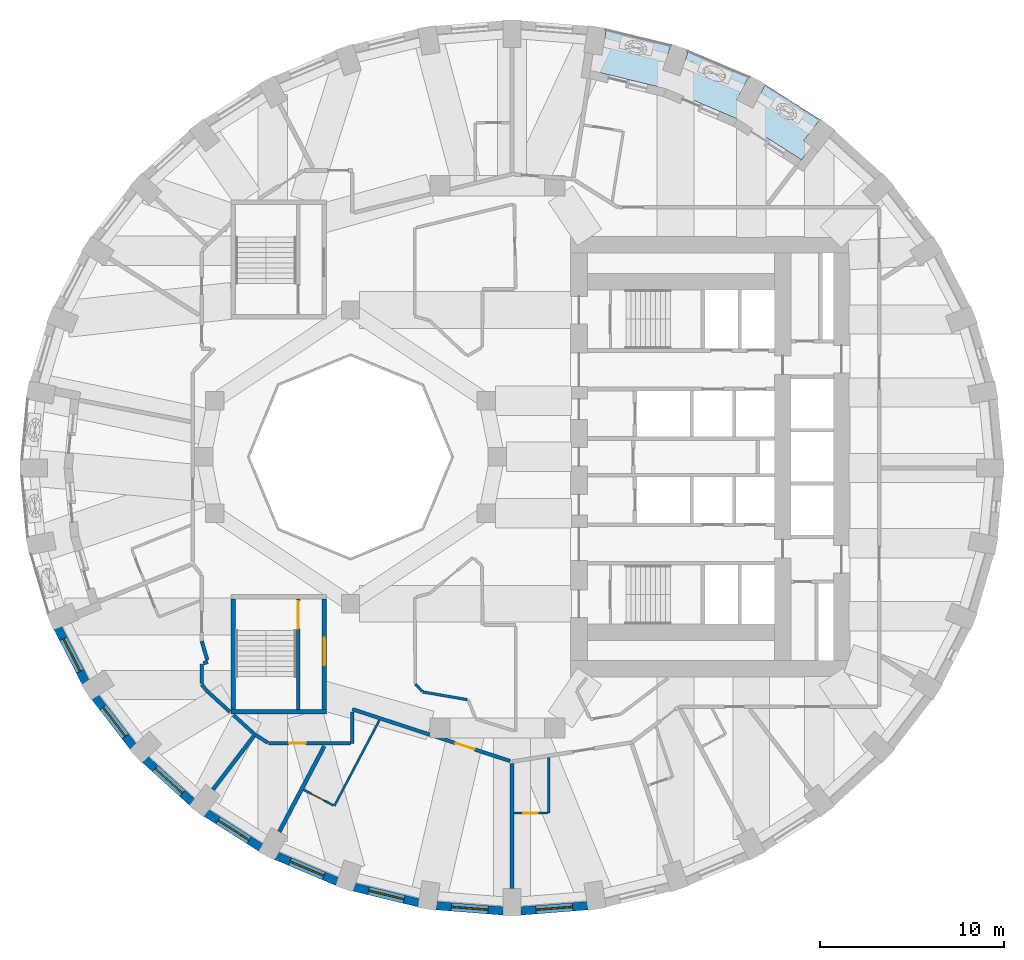
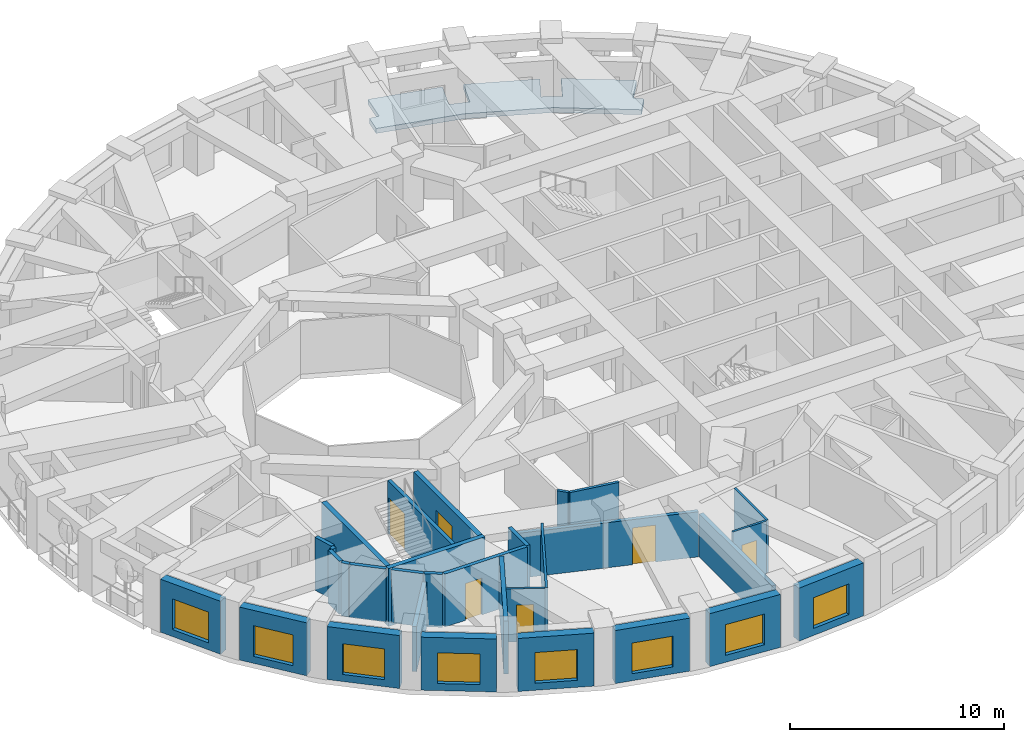
# One storey, part 3 of 12: 31 walls, 8 windows, 6 doors, 1 slab, 14 openings.
"""IFC4 building model written with IfcOpenShell, lengths in metres."""

import ifcopenshell
import ifcopenshell.guid

model = None  # the IFC model being written
_history = None  # IfcOwnerHistory: only IFC2X3 demands one
_inside = {}  # id of a spatial element -> (the spatial element, [elements in it])
_under = {}  # id of a project, library or spatial element -> (it, [spatial elements below it])
_declared = {}  # id of a project -> (the project, [libraries it declares])
_typed = {}  # id of a type object -> (the type object, [elements of that type])
_made_of = {}  # id of a material, layer set ... -> (it, [elements and type objects made of it])


def new_model(schema):
    """Start an empty IFC model of exactly this schema.

    Asked for "IFC4X3", IfcOpenShell would pick the latest addendum, in which some entities
    have other attributes; the version numbers below select the first issue.
    IFC2X3 requires an IfcOwnerHistory on every rooted entity: one is made here for all.
    """
    global model, _history
    if schema == "IFC4X3":
        model = ifcopenshell.file(schema_version=(4, 3, 0, 0))
    else:
        model = ifcopenshell.file(schema=schema)
    _inside.clear()
    _under.clear()
    _declared.clear()
    _typed.clear()
    _made_of.clear()
    _history = None
    if model.schema == "IFC2X3":
        org = make("IfcOrganization", Name="unknown")
        user = make(
            "IfcPersonAndOrganization",
            ThePerson=make("IfcPerson", FamilyName="unknown"),
            TheOrganization=org,
        )
        app = make(
            "IfcApplication",
            ApplicationDeveloper=org,
            Version="unknown",
            ApplicationFullName="unknown",
            ApplicationIdentifier="unknown",
        )
        _history = make(
            "IfcOwnerHistory",
            OwningUser=user,
            OwningApplication=app,
            ChangeAction="ADDED",
            CreationDate=0,
        )
    return model


def make(cls, **values):
    """One entity of the class cls with the attributes given. An attribute that is None is left unset."""
    return model.create_entity(
        cls, **{name: value for name, value in values.items() if value is not None}
    )


def rooted(cls, **values):
    """An entity with a GlobalId (a new one), such as an element, a storey or a relation."""
    return make(cls, GlobalId=ifcopenshell.guid.new(), OwnerHistory=_history, **values)


def si_unit(unit_type, name, prefix=None):
    """IfcSIUnit, for example si_unit("LENGTHUNIT", "METRE", prefix="MILLI")."""
    return make("IfcSIUnit", UnitType=unit_type, Prefix=prefix, Name=name)


def assignment(units):
    """IfcUnitAssignment: the units of a project."""
    return None if units is None else make("IfcUnitAssignment", Units=units)


def point(xyz):
    """IfcCartesianPoint."""
    return None if xyz is None else make("IfcCartesianPoint", Coordinates=xyz)


def direction(xyz):
    """IfcDirection."""
    return None if xyz is None else make("IfcDirection", DirectionRatios=xyz)


def frame(location, z_axis=None, x_axis=None):
    """IfcAxis2Placement3D, a coordinate frame: its origin and axes. An axis left out is left unset."""
    return make(
        "IfcAxis2Placement3D",
        Location=point(location),
        Axis=direction(z_axis),
        RefDirection=direction(x_axis),
    )


def frame_2d(location, x_axis=None):
    """IfcAxis2Placement2D, a coordinate frame in the plane: its origin and x axis."""
    return make(
        "IfcAxis2Placement2D", Location=point(location), RefDirection=direction(x_axis)
    )


def origin():
    """The frame at (0, 0, 0) with its axes left unset."""
    return frame((0.0, 0.0, 0.0))


def place(relative_to, where):
    """IfcLocalPlacement: puts the frame where relative to a parent placement (None: the world)."""
    return make(
        "IfcLocalPlacement", PlacementRelTo=relative_to, RelativePlacement=where
    )


def context(
    kind, dimensions, precision=None, world=None, true_north=None, identifier=None
):
    """IfcGeometricRepresentationContext, for example the 3D "Model" context."""
    return make(
        "IfcGeometricRepresentationContext",
        ContextIdentifier=identifier,
        ContextType=kind,
        CoordinateSpaceDimension=dimensions,
        Precision=precision,
        WorldCoordinateSystem=world,
        TrueNorth=true_north,
    )


def subcontext(parent, identifier, kind, view, scale=None):
    """IfcGeometricRepresentationSubContext, for example "Body" below "Model"."""
    return make(
        "IfcGeometricRepresentationSubContext",
        ContextIdentifier=identifier,
        ContextType=kind,
        ParentContext=parent,
        TargetScale=scale,
        TargetView=view,
    )


def project(units=None, contexts=None):
    """IfcProject with its units and contexts."""
    return rooted(
        "IfcProject",
        Name="project",
        RepresentationContexts=contexts,
        UnitsInContext=assignment(units),
    )


def spatial(cls, under=None, at=None, **own):
    """A site, building, storey or space (cls), placed at a placement, below another one or the project."""
    s = rooted(cls, ObjectPlacement=at, **own)
    if under is not None:
        _under.setdefault(under.id(), (under, []))[1].append(s)
    return s


def polyline(points):
    """IfcPolyline through the points."""
    return make("IfcPolyline", Points=[point(p) for p in points])


def profile(cls, at=None, kind="AREA", **sizes):
    """A parametric profile (cls). Its sizes go by their IFC names, for example OverallWidth=200.0."""
    return make(cls, ProfileType=kind, Position=at, **sizes)


def rectangle(**sizes):
    """IfcRectangleProfileDef."""
    return profile("IfcRectangleProfileDef", **sizes)


def outline(outer, holes=None, kind="AREA"):
    """IfcArbitraryClosedProfileDef: a profile drawn as a closed curve; with holes, ...WithVoids."""
    if holes is None:
        return make("IfcArbitraryClosedProfileDef", ProfileType=kind, OuterCurve=outer)
    return make(
        "IfcArbitraryProfileDefWithVoids",
        ProfileType=kind,
        OuterCurve=outer,
        InnerCurves=holes,
    )


def extrude(swept, where, along, depth):
    """IfcExtrudedAreaSolid: the profile swept, set in the frame where, extruded along a direction by depth."""
    return make(
        "IfcExtrudedAreaSolid",
        SweptArea=swept,
        Position=where,
        ExtrudedDirection=direction(along),
        Depth=depth,
    )


def shape(context_of_items, identifier, shape_type, items):
    """IfcShapeRepresentation: the items that make up one representation, for example the "Body"."""
    return make(
        "IfcShapeRepresentation",
        ContextOfItems=context_of_items,
        RepresentationIdentifier=identifier,
        RepresentationType=shape_type,
        Items=items,
    )


def material(Name=None, Category=None):
    """IfcMaterial."""
    return make("IfcMaterial", Name=Name, Category=Category)


def layer(
    of_material, thickness, ventilated=None, Name=None, Category=None, Priority=None
):
    """IfcMaterialLayer: one layer of a wall or slab, of a material (None: an air gap)."""
    return make(
        "IfcMaterialLayer",
        Material=of_material,
        LayerThickness=thickness,
        IsVentilated=ventilated,
        Name=Name,
        Category=Category,
        Priority=Priority,
    )


def layer_set(layers, Name=None):
    """IfcMaterialLayerSet."""
    return make("IfcMaterialLayerSet", MaterialLayers=layers, LayerSetName=Name)


def made_of(thing, what):
    """Note that an element or type object is made of a material, layer set ...; save() writes the relation."""
    if what is not None:
        _made_of.setdefault(what.id(), (what, []))[1].append(thing)
    return thing


def type_object(cls, material=None, **own):
    """A type object (cls), such as IfcWallType, which elements share."""
    return made_of(rooted(cls, **own), material)


def element(
    cls,
    number,
    at=None,
    inside=None,
    cuts=None,
    type_object=None,
    material=None,
    context=None,
    identifier="Body",
    shape_type=None,
    held_by="IfcProductDefinitionShape",
    body=None,
    shapes=None,
    **own,
):
    """One element of the class cls, such as IfcWall. Its Tag is "e" and its number.

    at: its placement. inside: the storey or other place that contains it. cuts: it is an
    opening in that element (IfcRelVoidsElement). A single representation is given by context,
    identifier, shape_type and body (its items); several are given by shapes. held_by: the class
    of the entity that holds the representations. save() writes the other relations.
    """
    e = rooted(cls, Tag="e%d" % number, ObjectPlacement=at, **own)
    if body is not None:
        shapes = [shape(context, identifier, shape_type, body)]
    if shapes is not None:
        e.Representation = make(held_by, Representations=shapes)
    if inside is not None:
        _inside.setdefault(inside.id(), (inside, []))[1].append(e)
    if cuts is not None:
        rooted(
            "IfcRelVoidsElement", RelatingBuildingElement=cuts, RelatedOpeningElement=e
        )
    if type_object is not None:
        _typed.setdefault(type_object.id(), (type_object, []))[1].append(e)
    return made_of(e, material)


def fill(opening, filler):
    """IfcRelFillsElement: the door or window that sits in an opening."""
    return rooted(
        "IfcRelFillsElement",
        RelatingOpeningElement=opening,
        RelatedBuildingElement=filler,
    )


def aggregate(whole, parts):
    """IfcRelAggregates: a whole, such as a stair, and the parts it consists of."""
    return rooted("IfcRelAggregates", RelatingObject=whole, RelatedObjects=parts)


def save(model, path):
    """Write the relations noted so far, then the file.

    IfcRelAggregates (storeys below a building ...), IfcRelContainedInSpatialStructure (elements
    in a storey), IfcRelDefinesByType, IfcRelAssociatesMaterial and IfcRelDeclares: one each for
    every whole, place, type object, material and project.
    """
    for whole, parts in _under.values():
        aggregate(whole, parts)
    for where, things in _inside.values():
        rooted(
            "IfcRelContainedInSpatialStructure",
            RelatedElements=things,
            RelatingStructure=where,
        )
    for kind, things in _typed.values():
        rooted("IfcRelDefinesByType", RelatedObjects=things, RelatingType=kind)
    for what, things in _made_of.values():
        rooted("IfcRelAssociatesMaterial", RelatedObjects=things, RelatingMaterial=what)
    for by, libraries in _declared.values():
        rooted("IfcRelDeclares", RelatingContext=by, RelatedDefinitions=libraries)
    model.write(path)


model = new_model("IFC4")

# Units and contexts
model_context = context("Model", 3, precision=1e-05, world=origin(), true_north=direction((0.0, 1.0)))
body_context = subcontext(model_context, "Body", "Model", "MODEL_VIEW")
ifc_project = project(units=[si_unit("LENGTHUNIT", "METRE"), si_unit("AREAUNIT", "SQUARE_METRE"), si_unit("VOLUMEUNIT", "CUBIC_METRE"), si_unit("PLANEANGLEUNIT", "RADIAN"), si_unit("MASSUNIT", "GRAM", prefix="KILO")], contexts=[model_context])

# Site, building, storey
site_placement = place(None, origin())
site = spatial("IfcSite", under=ifc_project, at=site_placement, CompositionType="ELEMENT")
building_placement = place(site_placement, origin())
building = spatial("IfcBuilding", under=site, at=building_placement, Name="Taillehof Tower", CompositionType="ELEMENT")
storey_placement = place(building_placement, frame((0.0, 0.0, 105.39990234375)))
storey = spatial("IfcBuildingStorey", under=building, at=storey_placement, Name="L29", CompositionType="ELEMENT", Elevation=105.39990234375)

# Slab
ifc_material_1 = material(Name="Concrete C40/50", Category="concrete")
ifc_layer_1 = layer(ifc_material_1, 0.280029296875)
ifc_layer_set_1 = layer_set([ifc_layer_1], Name="Balcony slab 280")
slab_type = type_object("IfcSlabType", Name="Balcony slab 280", PredefinedType="USERDEFINED", material=ifc_layer_set_1)
slab_placement = place(storey_placement, frame((0.0, 0.0, -0.27978515625)))
element("IfcSlab", 1, at=slab_placement, inside=storey, type_object=slab_type, Name="Balcony L29 pocket 1", ObjectType="BALCONY", PredefinedType="USERDEFINED", context=body_context, shape_type="SweptSolid", body=[
    extrude(outline(polyline([(5.0732421875, 21.0595703125), (5.216064453125, 21.9482421875), (5.6982421875, 21.870849609375), (5.929931640625, 23.313232421875), (9.45751953125, 22.45263671875), (8.9990234375, 21.069091796875), (9.9482421875, 20.754638671875), (10.40771484375, 22.14111328125), (13.710693359375, 20.73876953125), (13.033447265625, 19.4501953125), (13.918701171875, 18.985107421875), (14.597900390625, 20.27734375), (17.574462890625, 18.379638671875), (16.69189453125, 17.224609375), (17.116455078125, 16.900146484375), (16.56982421875, 16.184326171875), (13.083251953125, 18.40673828125), (9.211181640625, 20.05029296875), (5.0732421875, 21.0595703125)])), origin(), (0.0, 0.0, 1.0), 0.27978515625),
])

# Wall, opening, window
ifc_material_2 = material(Name="Brick masonry", Category="masonry")
ifc_layer_2 = layer(ifc_material_2, 0.449951171875)
ifc_layer_set_2 = layer_set([ifc_layer_2], Name="Brick infill wall 450")
wall_type_1 = type_object("IfcWallType", Name="Brick infill wall 450", PredefinedType="SOLIDWALL", material=ifc_layer_set_2)
wall_1_placement = place(storey_placement, frame((-23.9453125, -9.312255859375, 0.0), z_axis=(0.0, 0.0, 1.0), x_axis=(0.456828186229, -0.889554949549, 0.0)))
wall_1 = element("IfcWall", 2, at=wall_1_placement, inside=storey, type_object=wall_type_1, Name="Brick wall L29 bay 21", PredefinedType="SOLIDWALL", context=body_context, shape_type="SweptSolid", body=[
    extrude(rectangle(XDim=3.332763671875, YDim=0.449951171875, at=frame_2d((1.66650390625, 0.0))), origin(), (0.0, 0.0, 1.0), 3.02001953125),
])
opening_1_placement = place(wall_1_placement, frame((0.666259765625, 0.0, 0.39990234375)))
opening_1 = element("IfcOpeningElement", 3, at=opening_1_placement, cuts=wall_1, Name="Opening W2", PredefinedType="OPENING", context=body_context, shape_type="SweptSolid", body=[
    extrude(rectangle(XDim=2.0, YDim=1.75, at=frame_2d((1.0, 0.875))), frame((0.0, 0.23486328125, 0.0), z_axis=(0.0, -1.0, 0.0), x_axis=(1.0, 0.0, 0.0)), (0.0, 0.0, 1.0), 0.469970703125),
])
ifc_material_3 = material(Name="Aluminium window frame with clear double glazing", Category="aluminium")
window_type = type_object("IfcWindowType", Name="Deep-set window 2000x1750", PartitioningType="SINGLE_PANEL", PredefinedType="WINDOW", material=ifc_material_3)
window_1_placement = place(opening_1_placement, origin())
window_1 = element("IfcWindow", 4, at=window_1_placement, inside=storey, type_object=window_type, Name="W2", OverallHeight=1.75, OverallWidth=2.0, PartitioningType="SINGLE_PANEL", PredefinedType="WINDOW", context=body_context, shape_type="SweptSolid", body=[
    extrude(rectangle(XDim=2.0, YDim=1.75, at=frame_2d((1.0, 0.875))), frame((0.0, 0.034912109375, 0.0), z_axis=(0.0, -1.0, 0.0), x_axis=(1.0, 0.0, 0.0)), (0.0, 0.0, 1.0), 0.06005859375),
])
fill(opening_1, window_1)

wall_2_placement = place(storey_placement, frame((-21.908203125, -13.08740234375, 0.0), z_axis=(0.0, 0.0, 1.0), x_axis=(0.610693945156, -0.791866721961, 0.0)))
wall_2 = element("IfcWall", 5, at=wall_2_placement, inside=storey, type_object=wall_type_1, Name="Brick wall L29 bay 22", PredefinedType="SOLIDWALL", context=body_context, shape_type="SweptSolid", body=[
    extrude(rectangle(XDim=3.39453125, YDim=0.449951171875, at=frame_2d((1.697265625, 0.0))), origin(), (0.0, 0.0, 1.0), 3.02001953125),
])
opening_2_placement = place(wall_2_placement, frame((0.697265625, 0.0, 0.39990234375)))
opening_2 = element("IfcOpeningElement", 6, at=opening_2_placement, cuts=wall_2, Name="Opening W2", PredefinedType="OPENING", context=body_context, shape_type="SweptSolid", body=[
    extrude(rectangle(XDim=2.0, YDim=1.75, at=frame_2d((1.0, 0.875))), frame((0.0, 0.23486328125, 0.0), z_axis=(0.0, -1.0, 0.0), x_axis=(1.0, 0.0, 0.0)), (0.0, 0.0, 1.0), 0.469970703125),
])
window_2_placement = place(opening_2_placement, origin())
window_2 = element("IfcWindow", 7, at=window_2_placement, inside=storey, type_object=window_type, Name="W2", OverallHeight=1.75, OverallWidth=2.0, PartitioningType="SINGLE_PANEL", PredefinedType="WINDOW", context=body_context, shape_type="SweptSolid", body=[
    extrude(rectangle(XDim=2.0, YDim=1.75, at=frame_2d((1.0, 0.875))), frame((0.0, 0.034912109375, 0.0), z_axis=(0.0, -1.0, 0.0), x_axis=(1.0, 0.0, 0.0)), (0.0, 0.0, 1.0), 0.06005859375),
])
fill(opening_2, window_2)

wall_3_placement = place(storey_placement, frame((-19.18408203125, -16.481201171875, 0.0), z_axis=(0.0, 0.0, 1.0), x_axis=(0.740364106106, -0.672206062446, 0.0)))
wall_3 = element("IfcWall", 8, at=wall_3_placement, inside=storey, type_object=wall_type_1, Name="Brick wall L29 bay 23", PredefinedType="SOLIDWALL", context=body_context, shape_type="SweptSolid", body=[
    extrude(rectangle(XDim=3.4638671875, YDim=0.449951171875, at=frame_2d((1.73193359375, 0.0))), origin(), (0.0, 0.0, 1.0), 3.02001953125),
])
opening_3_placement = place(wall_3_placement, frame((0.73193359375, 0.0, 0.39990234375)))
opening_3 = element("IfcOpeningElement", 9, at=opening_3_placement, cuts=wall_3, Name="Opening W2", PredefinedType="OPENING", context=body_context, shape_type="SweptSolid", body=[
    extrude(rectangle(XDim=2.0, YDim=1.75, at=frame_2d((1.0, 0.875))), frame((0.0, 0.23486328125, 0.0), z_axis=(0.0, -1.0, 0.0), x_axis=(1.0, 0.0, 0.0)), (0.0, 0.0, 1.0), 0.469970703125),
])
window_3_placement = place(opening_3_placement, origin())
window_3 = element("IfcWindow", 10, at=window_3_placement, inside=storey, type_object=window_type, Name="W2", OverallHeight=1.75, OverallWidth=2.0, PartitioningType="SINGLE_PANEL", PredefinedType="WINDOW", context=body_context, shape_type="SweptSolid", body=[
    extrude(rectangle(XDim=2.0, YDim=1.75, at=frame_2d((1.0, 0.875))), frame((0.0, 0.034912109375, 0.0), z_axis=(0.0, -1.0, 0.0), x_axis=(1.0, 0.0, 0.0)), (0.0, 0.0, 1.0), 0.06005859375),
])
fill(opening_3, window_3)

wall_4_placement = place(storey_placement, frame((-15.856201171875, -19.39208984375, 0.0), z_axis=(0.0, 0.0, 1.0), x_axis=(0.843891947083, -0.53651317006, 0.0)))
wall_4 = element("IfcWall", 11, at=wall_4_placement, inside=storey, type_object=wall_type_1, Name="Brick wall L29 bay 24", PredefinedType="SOLIDWALL", context=body_context, shape_type="SweptSolid", body=[
    extrude(rectangle(XDim=3.531982421875, YDim=0.449951171875, at=frame_2d((1.76611328125, 0.0))), origin(), (0.0, 0.0, 1.0), 3.02001953125),
])
opening_4_placement = place(wall_4_placement, frame((0.76611328125, 0.0, 0.39990234375)))
opening_4 = element("IfcOpeningElement", 12, at=opening_4_placement, cuts=wall_4, Name="Opening W2", PredefinedType="OPENING", context=body_context, shape_type="SweptSolid", body=[
    extrude(rectangle(XDim=2.0, YDim=1.75, at=frame_2d((1.0, 0.875))), frame((0.0, 0.23486328125, 0.0), z_axis=(0.0, -1.0, 0.0), x_axis=(1.0, 0.0, 0.0)), (0.0, 0.0, 1.0), 0.469970703125),
])
window_4_placement = place(opening_4_placement, origin())
window_4 = element("IfcWindow", 13, at=window_4_placement, inside=storey, type_object=window_type, Name="W2", OverallHeight=1.75, OverallWidth=2.0, PartitioningType="SINGLE_PANEL", PredefinedType="WINDOW", context=body_context, shape_type="SweptSolid", body=[
    extrude(rectangle(XDim=2.0, YDim=1.75, at=frame_2d((1.0, 0.875))), frame((0.0, 0.034912109375, 0.0), z_axis=(0.0, -1.0, 0.0), x_axis=(1.0, 0.0, 0.0)), (0.0, 0.0, 1.0), 0.06005859375),
])
fill(opening_4, window_4)

wall_5_placement = place(storey_placement, frame((-12.025390625, -21.7333984375, 0.0), z_axis=(0.0, 0.0, 1.0), x_axis=(0.920879975612, -0.389846213932, 0.0)))
wall_5 = element("IfcWall", 14, at=wall_5_placement, inside=storey, type_object=wall_type_1, Name="Brick wall L29 bay 25", PredefinedType="SOLIDWALL", context=body_context, shape_type="SweptSolid", body=[
    extrude(rectangle(XDim=3.591552734375, YDim=0.449951171875, at=frame_2d((1.7958984375, 0.0))), origin(), (0.0, 0.0, 1.0), 3.02001953125),
])
opening_5_placement = place(wall_5_placement, frame((0.795654296875, 0.0, 0.39990234375)))
opening_5 = element("IfcOpeningElement", 15, at=opening_5_placement, cuts=wall_5, Name="Opening W2", PredefinedType="OPENING", context=body_context, shape_type="SweptSolid", body=[
    extrude(rectangle(XDim=2.0, YDim=1.75, at=frame_2d((1.0, 0.875))), frame((0.0, 0.23486328125, 0.0), z_axis=(0.0, -1.0, 0.0), x_axis=(1.0, 0.0, 0.0)), (0.0, 0.0, 1.0), 0.469970703125),
])
window_5_placement = place(opening_5_placement, origin())
window_5 = element("IfcWindow", 16, at=window_5_placement, inside=storey, type_object=window_type, Name="W2", OverallHeight=1.75, OverallWidth=2.0, PartitioningType="SINGLE_PANEL", PredefinedType="WINDOW", context=body_context, shape_type="SweptSolid", body=[
    extrude(rectangle(XDim=2.0, YDim=1.75, at=frame_2d((1.0, 0.875))), frame((0.0, 0.034912109375, 0.0), z_axis=(0.0, -1.0, 0.0), x_axis=(1.0, 0.0, 0.0)), (0.0, 0.0, 1.0), 0.06005859375),
])
fill(opening_5, window_5)

wall_6_placement = place(storey_placement, frame((-7.806640625, -23.435302734375, 0.0), z_axis=(0.0, 0.0, 1.0), x_axis=(0.971667603162, -0.236351579148, 0.0)))
wall_6 = element("IfcWall", 17, at=wall_6_placement, inside=storey, type_object=wall_type_1, Name="Brick wall L29 bay 26", PredefinedType="SOLIDWALL", context=body_context, shape_type="SweptSolid", body=[
    extrude(rectangle(XDim=3.635009765625, YDim=0.449951171875, at=frame_2d((1.8173828125, 0.0))), origin(), (0.0, 0.0, 1.0), 3.02001953125),
])
opening_6_placement = place(wall_6_placement, frame((0.8173828125, 0.0, 0.39990234375)))
opening_6 = element("IfcOpeningElement", 18, at=opening_6_placement, cuts=wall_6, Name="Opening W2", PredefinedType="OPENING", context=body_context, shape_type="SweptSolid", body=[
    extrude(rectangle(XDim=2.0, YDim=1.75, at=frame_2d((1.0, 0.875))), frame((0.0, 0.23486328125, 0.0), z_axis=(0.0, -1.0, 0.0), x_axis=(1.0, 0.0, 0.0)), (0.0, 0.0, 1.0), 0.469970703125),
])
window_6_placement = place(opening_6_placement, origin())
window_6 = element("IfcWindow", 19, at=window_6_placement, inside=storey, type_object=window_type, Name="W2", OverallHeight=1.75, OverallWidth=2.0, PartitioningType="SINGLE_PANEL", PredefinedType="WINDOW", context=body_context, shape_type="SweptSolid", body=[
    extrude(rectangle(XDim=2.0, YDim=1.75, at=frame_2d((1.0, 0.875))), frame((0.0, 0.034912109375, 0.0), z_axis=(0.0, -1.0, 0.0), x_axis=(1.0, 0.0, 0.0)), (0.0, 0.0, 1.0), 0.06005859375),
])
fill(opening_6, window_6)

wall_7_placement = place(storey_placement, frame((-3.32666015625, -24.446533203125, 0.0), z_axis=(0.0, 0.0, 1.0), x_axis=(0.996862216754, -0.079156306178, 0.0)))
wall_7 = element("IfcWall", 20, at=wall_7_placement, inside=storey, type_object=wall_type_1, Name="Brick wall L29 bay 27", PredefinedType="SOLIDWALL", context=body_context, shape_type="SweptSolid", body=[
    extrude(rectangle(XDim=3.657958984375, YDim=0.449951171875, at=frame_2d((1.8291015625, 0.0))), origin(), (0.0, 0.0, 1.0), 3.02001953125),
])
opening_7_placement = place(wall_7_placement, frame((0.8291015625, 0.0, 0.39990234375)))
opening_7 = element("IfcOpeningElement", 21, at=opening_7_placement, cuts=wall_7, Name="Opening W2", PredefinedType="OPENING", context=body_context, shape_type="SweptSolid", body=[
    extrude(rectangle(XDim=2.0, YDim=1.75, at=frame_2d((1.0, 0.875))), frame((0.0, 0.23486328125, 0.0), z_axis=(0.0, -1.0, 0.0), x_axis=(1.0, 0.0, 0.0)), (0.0, 0.0, 1.0), 0.469970703125),
])
window_7_placement = place(opening_7_placement, origin())
window_7 = element("IfcWindow", 22, at=window_7_placement, inside=storey, type_object=window_type, Name="W2", OverallHeight=1.75, OverallWidth=2.0, PartitioningType="SINGLE_PANEL", PredefinedType="WINDOW", context=body_context, shape_type="SweptSolid", body=[
    extrude(rectangle(XDim=2.0, YDim=1.75, at=frame_2d((1.0, 0.875))), frame((0.0, 0.034912109375, 0.0), z_axis=(0.0, -1.0, 0.0), x_axis=(1.0, 0.0, 0.0)), (0.0, 0.0, 1.0), 0.06005859375),
])
fill(opening_7, window_7)

wall_8_placement = place(storey_placement, frame((1.280029296875, -24.736083984375, 0.0), z_axis=(0.0, 0.0, 1.0), x_axis=(0.996862216754, 0.079156306178, 0.0)))
wall_8 = element("IfcWall", 23, at=wall_8_placement, inside=storey, type_object=wall_type_1, Name="Brick wall L29 bay 28", PredefinedType="SOLIDWALL", context=body_context, shape_type="SweptSolid", body=[
    extrude(rectangle(XDim=3.657958984375, YDim=0.449951171875, at=frame_2d((1.8291015625, 0.0))), origin(), (0.0, 0.0, 1.0), 3.02001953125),
])
opening_8_placement = place(wall_8_placement, frame((0.8291015625, 0.0, 0.39990234375)))
opening_8 = element("IfcOpeningElement", 24, at=opening_8_placement, cuts=wall_8, Name="Opening W2", PredefinedType="OPENING", context=body_context, shape_type="SweptSolid", body=[
    extrude(rectangle(XDim=2.0, YDim=1.75, at=frame_2d((1.0, 0.875))), frame((0.0, 0.23486328125, 0.0), z_axis=(0.0, -1.0, 0.0), x_axis=(1.0, 0.0, 0.0)), (0.0, 0.0, 1.0), 0.469970703125),
])
window_8_placement = place(opening_8_placement, origin())
window_8 = element("IfcWindow", 25, at=window_8_placement, inside=storey, type_object=window_type, Name="W2", OverallHeight=1.75, OverallWidth=2.0, PartitioningType="SINGLE_PANEL", PredefinedType="WINDOW", context=body_context, shape_type="SweptSolid", body=[
    extrude(rectangle(XDim=2.0, YDim=1.75, at=frame_2d((1.0, 0.875))), frame((0.0, 0.034912109375, 0.0), z_axis=(0.0, -1.0, 0.0), x_axis=(1.0, 0.0, 0.0)), (0.0, 0.0, 1.0), 0.06005859375),
])
fill(opening_8, window_8)

# Walls
ifc_material_4 = material(Name="Gypsum board on steel studs, two layers each side", Category="steel")
ifc_layer_3 = layer(ifc_material_4, 0.199951171875)
ifc_layer_set_3 = layer_set([ifc_layer_3], Name="Compartment wall corridor 200")
wall_type_2 = type_object("IfcWallType", Name="Compartment wall corridor 200", PredefinedType="PARTITIONING", material=ifc_layer_set_3)
wall_9_placement = place(storey_placement, frame((-14.5595703125, -13.891357421875, 0.0), z_axis=(0.0, 0.0, 1.0), x_axis=(-0.739440483737, 0.673221932954, 0.0)))
element("IfcWall", 26, at=wall_9_placement, inside=storey, type_object=wall_type_2, Name="Compartment wall", PredefinedType="PARTITIONING", context=body_context, shape_type="SweptSolid", body=[
    extrude(rectangle(XDim=1.74755859375, YDim=0.199951171875, at=frame_2d((0.873779296875, 0.0))), origin(), (0.0, 0.0, 1.0), 3.02001953125),
])
wall_10_placement = place(storey_placement, frame((-15.864013671875, -12.698974609375, 0.0), z_axis=(0.0, 0.0, 1.0), x_axis=(-0.61004607296, 0.792365943782, 0.0)))
element("IfcWall", 27, at=wall_10_placement, inside=storey, type_object=wall_type_2, Name="Compartment wall", PredefinedType="PARTITIONING", context=body_context, shape_type="SweptSolid", body=[
    extrude(rectangle(XDim=0.386962890625, YDim=0.199951171875, at=frame_2d((0.193359375, 0.0))), origin(), (0.0, 0.0, 1.0), 3.02001953125),
])
wall_11_placement = place(storey_placement, frame((-16.10009765625, -12.332275390625, 0.0), z_axis=(0.0, 0.0, 1.0), x_axis=(0.0, 1.0, 0.0)))
element("IfcWall", 28, at=wall_11_placement, inside=storey, type_object=wall_type_2, Name="Compartment wall", PredefinedType="PARTITIONING", context=body_context, shape_type="SweptSolid", body=[
    extrude(rectangle(XDim=1.044677734375, YDim=0.199951171875, at=frame_2d((0.5224609375, 0.0))), origin(), (0.0, 0.0, 1.0), 3.02001953125),
])
wall_12_placement = place(storey_placement, frame((-16.00732421875, -11.2509765625, 0.0), z_axis=(0.0, 0.0, 1.0), x_axis=(0.928016011931, 0.372540308691, 0.0)))
element("IfcWall", 29, at=wall_12_placement, inside=storey, type_object=wall_type_2, Name="Compartment wall", PredefinedType="PARTITIONING", context=body_context, shape_type="SweptSolid", body=[
    extrude(rectangle(XDim=0.25634765625, YDim=0.199951171875, at=frame_2d((0.128173828125, 0.0))), origin(), (0.0, 0.0, 1.0), 3.02001953125),
])
wall_13_placement = place(storey_placement, frame((-15.797607421875, -11.05908203125, 0.0), z_axis=(0.0, 0.0, 1.0), x_axis=(-0.282883185669, 0.959154368841, 0.0)))
element("IfcWall", 30, at=wall_13_placement, inside=storey, type_object=wall_type_2, Name="Compartment wall", PredefinedType="PARTITIONING", context=body_context, shape_type="SweptSolid", body=[
    extrude(rectangle(XDim=1.0693359375, YDim=0.199951171875, at=frame_2d((0.53466796875, 0.0))), origin(), (0.0, 0.0, 1.0), 3.02001953125),
])

# Wall, opening, door
wall_14_placement = place(storey_placement, frame((0.704833984375, -16.568359375, 0.0), z_axis=(0.0, 0.0, 1.0), x_axis=(-0.950067715644, 0.312043804122, 0.0)))
wall_14 = element("IfcWall", 31, at=wall_14_placement, inside=storey, type_object=wall_type_2, Name="Compartment wall", PredefinedType="PARTITIONING", context=body_context, shape_type="SweptSolid", body=[
    extrude(rectangle(XDim=9.056884765625, YDim=0.199951171875, at=frame_2d((4.5283203125, 0.0))), origin(), (0.0, 0.0, 1.0), 2.570068359375),
])
opening_9_placement = place(wall_14_placement, frame((2.044677734375, 0.0, 0.0)))
opening_9 = element("IfcOpeningElement", 32, at=opening_9_placement, cuts=wall_14, Name="Opening D2953", PredefinedType="OPENING", context=body_context, shape_type="SweptSolid", body=[
    extrude(rectangle(XDim=1.10009765625, YDim=2.10009765625, at=frame_2d((0.550048828125, 1.050048828125))), frame((0.0, 0.10986328125, 0.0), z_axis=(0.0, -1.0, 0.0), x_axis=(1.0, 0.0, 0.0)), (0.0, 0.0, 1.0), 0.219970703125),
])
ifc_material_5 = material(Name="Timber door leaf in steel frame", Category="steel")
door_type_1 = type_object("IfcDoorType", Name="Suite entrance door EI 30 1100 x 2100", OperationType="SINGLE_SWING_LEFT", PredefinedType="DOOR", material=ifc_material_5)
door_1_placement = place(opening_9_placement, origin())
door_1 = element("IfcDoor", 33, at=door_1_placement, inside=storey, type_object=door_type_1, Name="D2953", OperationType="SINGLE_SWING_LEFT", OverallHeight=2.10009765625, OverallWidth=1.10009765625, PredefinedType="DOOR", context=body_context, shape_type="SweptSolid", body=[
    extrude(rectangle(XDim=1.10009765625, YDim=2.10009765625, at=frame_2d((0.550048828125, 1.050048828125))), frame((0.0, 0.02490234375, 0.0), z_axis=(0.0, -1.0, 0.0), x_axis=(1.0, 0.0, 0.0)), (0.0, 0.0, 1.0), 0.050048828125),
])
fill(opening_9, door_1)

# Wall
wall_15_placement = place(storey_placement, frame((-7.89990234375, -13.88232421875, 0.0), z_axis=(0.0, 0.0, 1.0), x_axis=(0.0, -1.0, 0.0)))
element("IfcWall", 34, at=wall_15_placement, inside=storey, type_object=wall_type_2, Name="Compartment wall", PredefinedType="PARTITIONING", context=body_context, shape_type="SweptSolid", body=[
    extrude(rectangle(XDim=1.7177734375, YDim=0.199951171875, at=frame_2d((0.85888671875, 0.0))), origin(), (0.0, 0.0, 1.0), 3.02001953125),
])

# Wall, opening, door
wall_16_placement = place(storey_placement, frame((-8.0, -15.60009765625, 0.0), z_axis=(0.0, 0.0, 1.0), x_axis=(-1.0, 0.0, 0.0)))
wall_16 = element("IfcWall", 35, at=wall_16_placement, inside=storey, type_object=wall_type_2, Name="Compartment wall", PredefinedType="PARTITIONING", context=body_context, shape_type="SweptSolid", body=[
    extrude(rectangle(XDim=4.450927734375, YDim=0.199951171875, at=frame_2d((2.2255859375, 0.0))), origin(), (0.0, 0.0, 1.0), 3.02001953125),
])
opening_10_placement = place(wall_16_placement, frame((2.441650390625, 0.0, 0.0)))
opening_10 = element("IfcOpeningElement", 36, at=opening_10_placement, cuts=wall_16, Name="Opening D2952", PredefinedType="OPENING", context=body_context, shape_type="SweptSolid", body=[
    extrude(rectangle(XDim=0.89990234375, YDim=2.10009765625, at=frame_2d((0.449951171875, 1.050048828125))), frame((0.0, 0.10986328125, 0.0), z_axis=(0.0, -1.0, 0.0), x_axis=(1.0, 0.0, 0.0)), (0.0, 0.0, 1.0), 0.219970703125),
])
ifc_material_6 = material(Name="Timber door leaf in steel frame", Category="steel")
door_type_2 = type_object("IfcDoorType", Name="Service room door EI 30 900 x 2100", OperationType="SINGLE_SWING_LEFT", PredefinedType="DOOR", material=ifc_material_6)
door_2_placement = place(opening_10_placement, origin())
door_2 = element("IfcDoor", 37, at=door_2_placement, inside=storey, type_object=door_type_2, Name="D2952", OperationType="SINGLE_SWING_LEFT", OverallHeight=2.10009765625, OverallWidth=0.89990234375, PredefinedType="DOOR", context=body_context, shape_type="SweptSolid", body=[
    extrude(rectangle(XDim=0.89990234375, YDim=2.10009765625, at=frame_2d((0.449951171875, 1.050048828125))), frame((0.0, 0.02490234375, 0.0), z_axis=(0.0, -1.0, 0.0), x_axis=(1.0, 0.0, 0.0)), (0.0, 0.0, 1.0), 0.050048828125),
])
fill(opening_10, door_2)

# Walls
wall_17_placement = place(storey_placement, frame((-12.50146484375, -15.56787109375, 0.0), z_axis=(0.0, 0.0, 1.0), x_axis=(-0.843169167706, 0.537648355926, 0.0)))
element("IfcWall", 38, at=wall_17_placement, inside=storey, type_object=wall_type_2, Name="Compartment wall", PredefinedType="PARTITIONING", context=body_context, shape_type="SweptSolid", body=[
    extrude(rectangle(XDim=0.858154296875, YDim=0.199951171875, at=frame_2d((0.42919921875, 0.0))), origin(), (0.0, 0.0, 1.0), 3.02001953125),
])
wall_18_placement = place(storey_placement, frame((-13.239990234375, -15.093017578125, 0.0), z_axis=(0.0, 0.0, 1.0), x_axis=(-0.739438095557, 0.673224556028, 0.0)))
element("IfcWall", 39, at=wall_18_placement, inside=storey, type_object=wall_type_2, Name="Compartment wall", PredefinedType="PARTITIONING", context=body_context, shape_type="SweptSolid", body=[
    extrude(rectangle(XDim=1.51904296875, YDim=0.199951171875, at=frame_2d((0.759521484375, 0.0))), origin(), (0.0, 0.0, 1.0), 3.02001953125),
])
ifc_material_7 = material(Name="Gypsum board on double steel studs with mineral wool", Category="steel")
ifc_layer_4 = layer(ifc_material_7, 0.219970703125)
ifc_layer_set_4 = layer_set([ifc_layer_4], Name="Compartment wall guest room 220")
wall_type_3 = type_object("IfcWallType", Name="Compartment wall guest room 220", PredefinedType="PARTITIONING", material=ifc_layer_set_4)
wall_19_placement = place(storey_placement, frame((-15.4892578125, -18.120849609375, 0.0), z_axis=(0.0, 0.0, 1.0), x_axis=(0.607082337972, 0.794638933681, 0.0)))
element("IfcWall", 40, at=wall_19_placement, inside=storey, type_object=wall_type_3, Name="Compartment wall", PredefinedType="PARTITIONING", context=body_context, shape_type="SweptSolid", body=[
    extrude(rectangle(XDim=3.672119140625, YDim=0.219970703125, at=frame_2d((1.8359375, 0.0))), origin(), (0.0, 0.0, 1.0), 2.570068359375),
])
wall_20_placement = place(storey_placement, frame((-11.8759765625, -20.417724609375, 0.0), z_axis=(0.0, 0.0, 1.0), x_axis=(0.465320539057, 0.885142246157, 0.0)))
element("IfcWall", 41, at=wall_20_placement, inside=storey, type_object=wall_type_3, Name="Compartment wall", PredefinedType="PARTITIONING", context=body_context, shape_type="SweptSolid", body=[
    extrude(rectangle(XDim=5.269287109375, YDim=0.219970703125, at=frame_2d((2.634765625, 0.0))), origin(), (0.0, 0.0, 1.0), 3.02001953125),
])
wall_21_placement = place(storey_placement, frame((0.800048828125, -23.5, 0.0), z_axis=(0.0, 0.0, 1.0), x_axis=(0.0, 1.0, 0.0)))
element("IfcWall", 42, at=wall_21_placement, inside=storey, type_object=wall_type_3, Name="Compartment wall", PredefinedType="PARTITIONING", context=body_context, shape_type="SweptSolid", body=[
    extrude(rectangle(XDim=6.7998046875, YDim=0.219970703125, at=frame_2d((3.39990234375, 0.0))), origin(), (0.0, 0.0, 1.0), 2.47021484375),
])
ifc_material_8 = material(Name="Gypsum board on steel studs, two layers each side", Category="steel")
ifc_layer_5 = layer(ifc_material_8, 0.14990234375)
ifc_layer_set_5 = layer_set([ifc_layer_5], Name="Compartment wall service room 150")
wall_type_4 = type_object("IfcWallType", Name="Compartment wall service room 150", PredefinedType="PARTITIONING", material=ifc_layer_set_5)
wall_22_placement = place(storey_placement, frame((-1.64501953125, -13.221923828125, 0.0), z_axis=(0.0, 0.0, 1.0), x_axis=(-0.985187584004, 0.171480098917, 0.0)))
element("IfcWall", 43, at=wall_22_placement, inside=storey, type_object=wall_type_4, Name="Compartment wall", PredefinedType="PARTITIONING", context=body_context, shape_type="SweptSolid", body=[
    extrude(rectangle(XDim=2.447265625, YDim=0.14990234375, at=frame_2d((1.2236328125, 0.0))), origin(), (0.0, 0.0, 1.0), 3.02001953125),
])
wall_23_placement = place(storey_placement, frame((-4.083984375, -12.7734375, 0.0), z_axis=(0.0, 0.0, 1.0), x_axis=(-0.692272471515, 0.72163621388, 0.0)))
element("IfcWall", 44, at=wall_23_placement, inside=storey, type_object=wall_type_4, Name="Compartment wall", PredefinedType="PARTITIONING", context=body_context, shape_type="SweptSolid", body=[
    extrude(rectangle(XDim=0.548828125, YDim=0.14990234375, at=frame_2d((0.2744140625, 0.0))), origin(), (0.0, 0.0, 1.0), 3.02001953125),
])
ifc_material_9 = material(Name="Gypsum board on steel studs, moisture resistant", Category="steel")
ifc_layer_6 = layer(ifc_material_9, 0.1201171875)
ifc_layer_set_6 = layer_set([ifc_layer_6], Name="En-suite wall 120")
wall_type_5 = type_object("IfcWallType", Name="En-suite wall 120", PredefinedType="PARTITIONING", material=ifc_layer_set_6)
wall_24_placement = place(storey_placement, frame((-6.427978515625, -14.351806640625, 0.0), z_axis=(0.0, 0.0, 1.0), x_axis=(-0.46531034676, -0.885147604187, 0.0)))
element("IfcWall", 45, at=wall_24_placement, inside=storey, type_object=wall_type_5, Name="En-suite wall", PredefinedType="PARTITIONING", context=body_context, shape_type="SweptSolid", body=[
    extrude(rectangle(XDim=5.261474609375, YDim=0.1201171875, at=frame_2d((2.630859375, 0.0))), origin(), (0.0, 0.0, 1.0), 3.02001953125),
])
wall_25_placement = place(storey_placement, frame((2.800048828125, -16.380859375, 0.0), z_axis=(0.0, 0.0, 1.0), x_axis=(0.0, -1.0, 0.0)))
element("IfcWall", 46, at=wall_25_placement, inside=storey, type_object=wall_type_5, Name="En-suite wall", PredefinedType="PARTITIONING", context=body_context, shape_type="SweptSolid", body=[
    extrude(rectangle(XDim=3.01904296875, YDim=0.1201171875, at=frame_2d((1.509521484375, 0.0))), origin(), (0.0, 0.0, 1.0), 3.02001953125),
])

# Wall, opening, door
wall_26_placement = place(storey_placement, frame((-8.929443359375, -18.981201171875, 0.0), z_axis=(0.0, 0.0, 1.0), x_axis=(-0.885114946598, 0.465372465139, 0.0)))
wall_26 = element("IfcWall", 47, at=wall_26_placement, inside=storey, type_object=wall_type_5, Name="En-suite wall", PredefinedType="PARTITIONING", context=body_context, shape_type="SweptSolid", body=[
    extrude(rectangle(XDim=1.829833984375, YDim=0.1201171875, at=frame_2d((0.9150390625, 0.0))), origin(), (0.0, 0.0, 1.0), 3.02001953125),
])
opening_11_placement = place(wall_26_placement, frame((0.539794921875, 0.0, 0.0)))
opening_11 = element("IfcOpeningElement", 48, at=opening_11_placement, cuts=wall_26, Name="Opening D2954", PredefinedType="OPENING", context=body_context, shape_type="SweptSolid", body=[
    extrude(rectangle(XDim=0.800048828125, YDim=2.10009765625, at=frame_2d((0.39990234375, 1.050048828125))), frame((0.0, 0.070068359375, 0.0), z_axis=(0.0, -1.0, 0.0), x_axis=(1.0, 0.0, 0.0)), (0.0, 0.0, 1.0), 0.14013671875),
])
ifc_material_10 = material(Name="Timber door leaf in steel frame", Category="steel")
door_type_3 = type_object("IfcDoorType", Name="En-suite door 800 x 2100", OperationType="SINGLE_SWING_LEFT", PredefinedType="DOOR", material=ifc_material_10)
door_3_placement = place(opening_11_placement, origin())
door_3 = element("IfcDoor", 49, at=door_3_placement, inside=storey, type_object=door_type_3, Name="D2954", OperationType="SINGLE_SWING_LEFT", OverallHeight=2.10009765625, OverallWidth=0.800048828125, PredefinedType="DOOR", context=body_context, shape_type="SweptSolid", body=[
    extrude(rectangle(XDim=0.800048828125, YDim=2.10009765625, at=frame_2d((0.39990234375, 1.050048828125))), frame((0.0, 0.02490234375, 0.0), z_axis=(0.0, -1.0, 0.0), x_axis=(1.0, 0.0, 0.0)), (0.0, 0.0, 1.0), 0.050048828125),
])
fill(opening_11, door_3)

wall_27_placement = place(storey_placement, frame((2.739990234375, -19.39990234375, 0.0), z_axis=(0.0, 0.0, 1.0), x_axis=(-1.0, 0.0, 0.0)))
wall_27 = element("IfcWall", 50, at=wall_27_placement, inside=storey, type_object=wall_type_5, Name="En-suite wall", PredefinedType="PARTITIONING", context=body_context, shape_type="SweptSolid", body=[
    extrude(rectangle(XDim=1.829833984375, YDim=0.1201171875, at=frame_2d((0.9150390625, 0.0))), origin(), (0.0, 0.0, 1.0), 3.02001953125),
])
opening_12_placement = place(wall_27_placement, frame((0.5400390625, 0.0, 0.0)))
opening_12 = element("IfcOpeningElement", 51, at=opening_12_placement, cuts=wall_27, Name="Opening D2956", PredefinedType="OPENING", context=body_context, shape_type="SweptSolid", body=[
    extrude(rectangle(XDim=0.800048828125, YDim=2.10009765625, at=frame_2d((0.39990234375, 1.050048828125))), frame((0.0, 0.070068359375, 0.0), z_axis=(0.0, -1.0, 0.0), x_axis=(1.0, 0.0, 0.0)), (0.0, 0.0, 1.0), 0.14013671875),
])
door_4_placement = place(opening_12_placement, origin())
door_4 = element("IfcDoor", 52, at=door_4_placement, inside=storey, type_object=door_type_3, Name="D2956", OperationType="SINGLE_SWING_RIGHT", OverallHeight=2.10009765625, OverallWidth=0.800048828125, PredefinedType="DOOR", context=body_context, shape_type="SweptSolid", body=[
    extrude(rectangle(XDim=0.800048828125, YDim=2.10009765625, at=frame_2d((0.39990234375, 1.050048828125))), frame((0.0, 0.02490234375, 0.0), z_axis=(0.0, -1.0, 0.0), x_axis=(1.0, 0.0, 0.0)), (0.0, 0.0, 1.0), 0.050048828125),
])
fill(opening_12, door_4)

ifc_material_11 = material(Name="Concrete C50/60", Category="concrete")
ifc_layer_7 = layer(ifc_material_11, 0.199951171875)
ifc_layer_set_7 = layer_set([ifc_layer_7], Name="Shaft wall C50/60 200")
wall_type_6 = type_object("IfcWallType", Name="Shaft wall C50/60 200", PredefinedType="SHEAR", material=ifc_layer_set_7)
wall_28_placement = place(storey_placement, frame((-10.85009765625, -13.75, 0.0), z_axis=(0.0, 0.0, 1.0), x_axis=(0.0, 1.0, 0.0)))
wall_28 = element("IfcWall", 53, at=wall_28_placement, inside=storey, type_object=wall_type_6, Name="Shaft wall SW", PredefinedType="SHEAR", context=body_context, shape_type="SweptSolid", body=[
    extrude(rectangle(XDim=6.0, YDim=0.199951171875, at=frame_2d((3.0, 0.0))), origin(), (0.0, 0.0, 1.0), 3.02001953125),
])
opening_13_placement = place(wall_28_placement, frame((4.39990234375, 0.0, 0.0)))
opening_13 = element("IfcOpeningElement", 54, at=opening_13_placement, cuts=wall_28, Name="Opening D2913", PredefinedType="OPENING", context=body_context, shape_type="SweptSolid", body=[
    extrude(rectangle(XDim=1.5, YDim=2.10009765625, at=frame_2d((0.75, 1.050048828125))), frame((0.0, 0.10986328125, 0.0), z_axis=(0.0, -1.0, 0.0), x_axis=(1.0, 0.0, 0.0)), (0.0, 0.0, 1.0), 0.219970703125),
])
ifc_material_12 = material(Name="Steel-faced fire door", Category="steel")
door_type_4 = type_object("IfcDoorType", Name="Stair door 1500x2100", OperationType="DOUBLE_DOOR_SINGLE_SWING", PredefinedType="DOOR", material=ifc_material_12)
door_5_placement = place(opening_13_placement, origin())
door_5 = element("IfcDoor", 55, at=door_5_placement, inside=storey, type_object=door_type_4, Name="Stair lobby door S4", OperationType="DOUBLE_DOOR_SINGLE_SWING", OverallHeight=2.10009765625, OverallWidth=1.5, PredefinedType="DOOR", context=body_context, shape_type="SweptSolid", body=[
    extrude(rectangle(XDim=1.5, YDim=2.10009765625, at=frame_2d((0.75, 1.050048828125))), frame((0.0, 0.02490234375, 0.0), z_axis=(0.0, -1.0, 0.0), x_axis=(1.0, 0.0, 0.0)), (0.0, 0.0, 1.0), 0.050048828125),
])
fill(opening_13, door_5)

# Wall
ifc_material_13 = material(Name="Concrete C50/60", Category="concrete")
ifc_layer_8 = layer(ifc_material_13, 0.25)
ifc_layer_set_8 = layer_set([ifc_layer_8], Name="Stair wall C50/60 250")
wall_type_7 = type_object("IfcWallType", Name="Stair wall C50/60 250", PredefinedType="SHEAR", material=ifc_layer_set_8)
wall_29_placement = place(storey_placement, frame((-14.375, -13.75, -0.27978515625), z_axis=(0.0, 0.0, 1.0), x_axis=(0.0, 1.0, 0.0)))
element("IfcWall", 56, at=wall_29_placement, inside=storey, type_object=wall_type_7, Name="Stair wall SC", PredefinedType="SHEAR", context=body_context, shape_type="SweptSolid", body=[
    extrude(rectangle(XDim=6.0, YDim=0.25, at=frame_2d((3.0, 0.0))), origin(), (0.0, 0.0, 1.0), 3.2998046875),
])

# Wall, opening, door
wall_30_placement = place(storey_placement, frame((-9.425048828125, -13.75, -0.27978515625), z_axis=(0.0, 0.0, 1.0), x_axis=(0.0, 1.0, 0.0)))
wall_30 = element("IfcWall", 57, at=wall_30_placement, inside=storey, type_object=wall_type_7, Name="Stair wall SC", PredefinedType="SHEAR", context=body_context, shape_type="SweptSolid", body=[
    extrude(rectangle(XDim=6.0, YDim=0.25, at=frame_2d((3.0, 0.0))), origin(), (0.0, 0.0, 1.0), 3.2998046875),
])
opening_14_placement = place(wall_30_placement, frame((2.39990234375, 0.0, 0.280029296875)))
opening_14 = element("IfcOpeningElement", 58, at=opening_14_placement, cuts=wall_30, Name="Opening D2920", PredefinedType="OPENING", context=body_context, shape_type="SweptSolid", body=[
    extrude(rectangle(XDim=1.5, YDim=2.10009765625, at=frame_2d((0.75, 1.050048828125))), frame((0.0, 0.135009765625, 0.0), z_axis=(0.0, -1.0, 0.0), x_axis=(1.0, 0.0, 0.0)), (0.0, 0.0, 1.0), 0.27001953125),
])
door_6_placement = place(opening_14_placement, origin())
door_6 = element("IfcDoor", 59, at=door_6_placement, inside=storey, type_object=door_type_4, Name="Stair door S4", OperationType="DOUBLE_DOOR_SINGLE_SWING", OverallHeight=2.10009765625, OverallWidth=1.5, PredefinedType="DOOR", context=body_context, shape_type="SweptSolid", body=[
    extrude(rectangle(XDim=1.5, YDim=2.10009765625, at=frame_2d((0.75, 1.050048828125))), frame((0.0, 0.02490234375, 0.0), z_axis=(0.0, -1.0, 0.0), x_axis=(1.0, 0.0, 0.0)), (0.0, 0.0, 1.0), 0.050048828125),
])
fill(opening_14, door_6)

# Wall
wall_31_placement = place(storey_placement, frame((-14.5, -13.875, -0.27978515625), z_axis=(0.0, 0.0, 1.0), x_axis=(1.0, 0.0, 0.0)))
element("IfcWall", 60, at=wall_31_placement, inside=storey, type_object=wall_type_7, Name="Stair wall SC", PredefinedType="SHEAR", context=body_context, shape_type="SweptSolid", body=[
    extrude(rectangle(XDim=5.199951171875, YDim=0.25, at=frame_2d((2.60009765625, 0.0))), origin(), (0.0, 0.0, 1.0), 3.2998046875),
])

save(model, "model.ifc")
